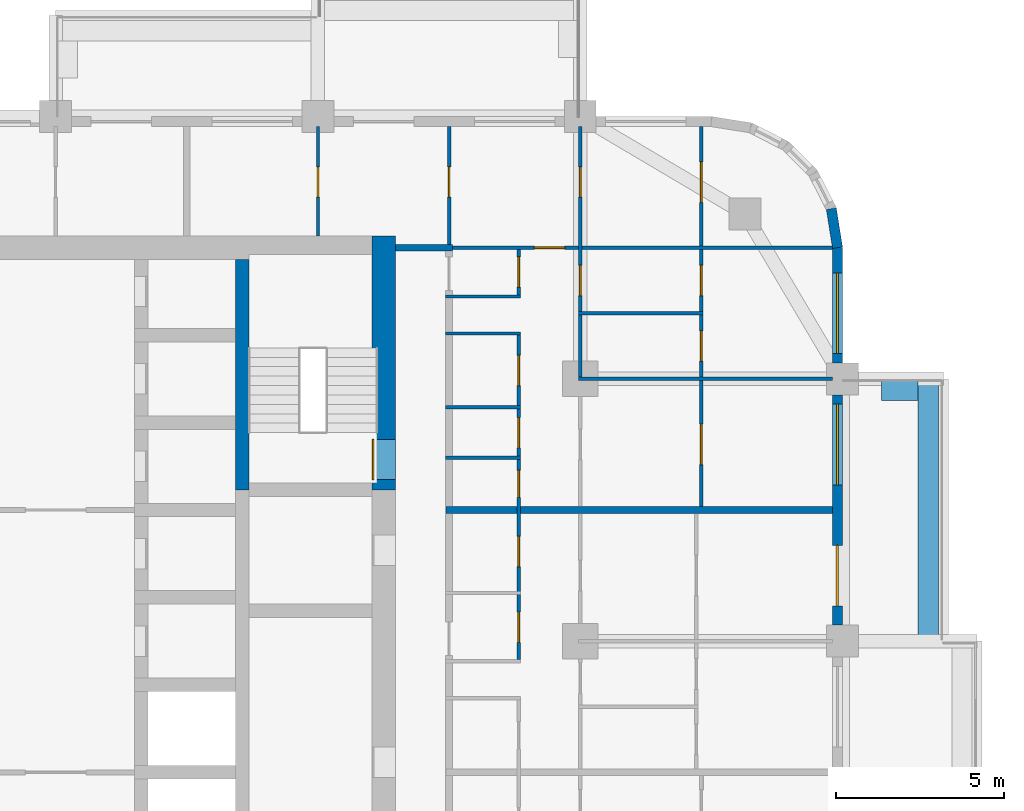
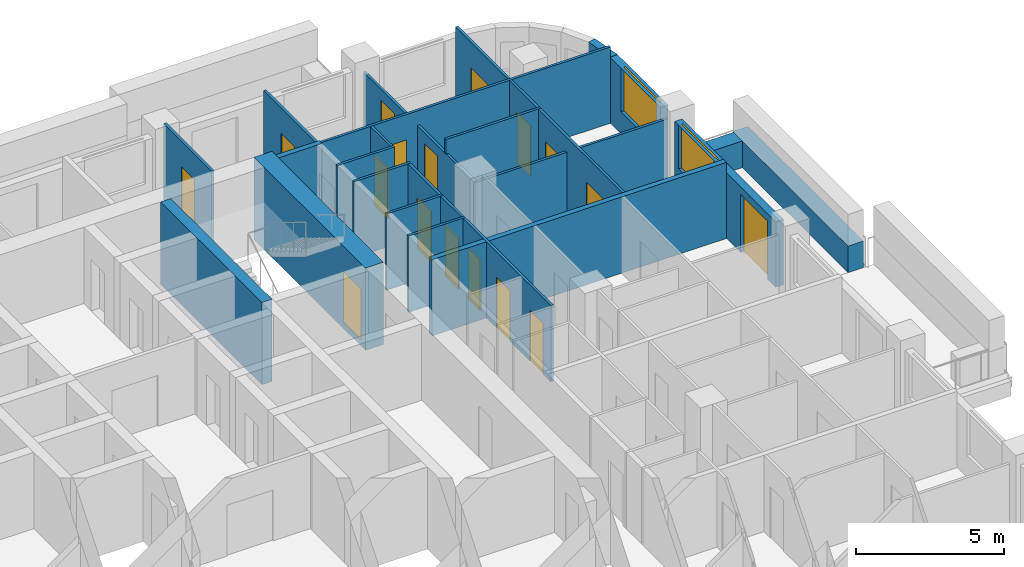
# One storey, part 13 of 19: 22 walls, 17 doors, 2 windows, 19 openings.
"""IFC4 building model written with IfcOpenShell, lengths in metres."""

from ifc_helpers import new_model, si_unit, direction, frame, frame_2d, origin, place, context, subcontext, project, spatial, rectangle, extrude, material, layer, layer_set, type_object, element, fill, save


model = new_model("IFC4")

# Units and contexts
model_context = context("Model", 3, precision=1e-05, world=origin(), true_north=direction((0.0, 1.0)))
body_context = subcontext(model_context, "Body", "Model", "MODEL_VIEW")
ifc_project = project(units=[si_unit("LENGTHUNIT", "METRE"), si_unit("AREAUNIT", "SQUARE_METRE"), si_unit("VOLUMEUNIT", "CUBIC_METRE"), si_unit("PLANEANGLEUNIT", "RADIAN"), si_unit("MASSUNIT", "GRAM", prefix="KILO")], contexts=[model_context])

# Site, building, storey
site_placement = place(None, origin())
site = spatial("IfcSite", under=ifc_project, at=site_placement, CompositionType="ELEMENT")
building_placement = place(site_placement, origin())
building = spatial("IfcBuilding", under=site, at=building_placement, Name="Ludao Terraces", CompositionType="ELEMENT")
storey_placement = place(building_placement, frame((0.0, 0.0, 81.800048828125)))
storey = spatial("IfcBuildingStorey", under=building, at=storey_placement, Name="L22", CompositionType="ELEMENT", Elevation=81.800048828125)

# Wall, opening, door
ifc_material_1 = material(Name="Concrete C70", Category="concrete")
ifc_layer_1 = layer(ifc_material_1, 0.699951171875)
ifc_layer_set_1 = layer_set([ifc_layer_1], Name="Core wall 700 C70")
wall_type_1 = type_object("IfcWallType", Name="Core wall 700 C70", PredefinedType="SOLIDWALL", material=ifc_layer_set_1)
wall_1_placement = place(storey_placement, frame((94.75, 77.300048828125, -0.25), z_axis=(0.0, 0.0, 1.0), x_axis=(0.0, 1.0, 0.0)))
wall_1 = element("IfcWall", 1, at=wall_1_placement, inside=storey, type_object=wall_type_1, Name="Core wall L22 outer-E-S2", PredefinedType="SOLIDWALL", context=body_context, shape_type="SweptSolid", body=[
    extrude(rectangle(XDim=7.550048828125, YDim=0.699951171875, at=frame_2d((3.77490234375, 0.0))), origin(), (0.0, 0.0, 1.0), 3.39990234375),
])
opening_1_placement = place(wall_1_placement, frame((0.300048828125, 0.0, 0.25)))
opening_1 = element("IfcOpeningElement", 2, at=opening_1_placement, cuts=wall_1, Name="Opening R06-132", PredefinedType="OPENING", context=body_context, shape_type="SweptSolid", body=[
    extrude(rectangle(XDim=1.199951171875, YDim=2.10009765625, at=frame_2d((0.60009765625, 1.050048828125))), frame((0.0, 0.35986328125, 0.0), z_axis=(0.0, -1.0, 0.0), x_axis=(1.0, 0.0, 0.0)), (0.0, 0.0, 1.0), 0.719970703125),
])
ifc_material_2 = material(Name="Steel Q235", Category="steel")
door_type_1 = type_object("IfcDoorType", Name="INT Stair door 1200", OperationType="DOUBLE_DOOR_SINGLE_SWING", PredefinedType="DOOR", material=ifc_material_2)
door_1_placement = place(opening_1_placement, origin())
door_1 = element("IfcDoor", 3, at=door_1_placement, inside=storey, type_object=door_type_1, Name="DOOR 132", OperationType="DOUBLE_DOOR_SINGLE_SWING", OverallHeight=2.10009765625, OverallWidth=1.199951171875, PredefinedType="DOOR", context=body_context, shape_type="SweptSolid", body=[
    extrude(rectangle(XDim=1.199951171875, YDim=2.10009765625, at=frame_2d((0.60009765625, 1.050048828125))), frame((0.0, 0.3349609375, 0.0), z_axis=(0.0, -1.0, 0.0), x_axis=(1.0, 0.0, 0.0)), (0.0, 0.0, 1.0), 0.050048828125),
])
fill(opening_1, door_1)

# Walls
ifc_material_3 = material(Name="Concrete C40", Category="concrete")
ifc_layer_2 = layer(ifc_material_3, 0.60009765625)
ifc_layer_set_2 = layer_set([ifc_layer_2], Name="ENV Planter trough 600")
wall_type_2 = type_object("IfcWallType", Name="ENV Planter trough 600", PredefinedType="USERDEFINED", material=ifc_layer_set_2)
wall_2_placement = place(storey_placement, frame((110.949951171875, 72.800048828125, 0.0), z_axis=(0.0, 0.0, 1.0), x_axis=(0.0, 1.0, 0.0)))
element("IfcWall", 4, at=wall_2_placement, inside=storey, type_object=wall_type_2, Name="PL-L22-E4", ObjectType="PLANTER", PredefinedType="USERDEFINED", context=body_context, shape_type="SweptSolid", body=[
    extrude(rectangle(XDim=7.800048828125, YDim=0.60009765625, at=frame_2d((3.89990234375, 0.0))), origin(), (0.0, 0.0, 1.0), 1.099853515625),
])
wall_3_placement = place(storey_placement, frame((110.64990234375, 80.25, 0.0), z_axis=(0.0, 0.0, 1.0), x_axis=(-1.0, 0.0, 0.0)))
element("IfcWall", 5, at=wall_3_placement, inside=storey, type_object=wall_type_2, Name="PL-L22-E4-SB", ObjectType="PLANTER", PredefinedType="USERDEFINED", context=body_context, shape_type="SweptSolid", body=[
    extrude(rectangle(XDim=1.099853515625, YDim=0.60009765625, at=frame_2d((0.5498046875, 0.0))), origin(), (0.0, 0.0, 1.0), 1.099853515625),
])

# Wall, openings, door, window
ifc_material_4 = material(Name="Granite cladding", Category="masonry")
ifc_layer_3 = layer(ifc_material_4, 0.0400390625, Category="stone")
ifc_material_5 = material(Name="Mineral wool")
ifc_layer_4 = layer(ifc_material_5, 0.06005859375)
ifc_layer_5 = layer(ifc_material_3, 0.199951171875, Category="concrete")
ifc_layer_set_3 = layer_set([ifc_layer_3, ifc_layer_4, ifc_layer_5], Name="ENV Stone-clad wall 300")
wall_type_3 = type_object("IfcWallType", Name="ENV Stone-clad wall 300", PredefinedType="SOLIDWALL", material=ifc_layer_set_3)
wall_4_placement = place(storey_placement, frame((108.25, 73.27490234375, 0.0), z_axis=(0.0, 0.0, 1.0), x_axis=(0.0, 1.0, 0.0)))
wall_4 = element("IfcWall", 6, at=wall_4_placement, inside=storey, type_object=wall_type_3, Name="EW-L22-E5", PredefinedType="SOLIDWALL", context=body_context, shape_type="SweptSolid", body=[
    extrude(rectangle(XDim=6.85009765625, YDim=0.300048828125, at=frame_2d((3.425048828125, 0.0))), origin(), (0.0, 0.0, 1.0), 2.699951171875),
])
opening_2_placement = place(wall_4_placement, frame((0.574951171875, 0.0, 0.0)))
opening_2 = element("IfcOpeningElement", 7, at=opening_2_placement, cuts=wall_4, Name="Opening BD", PredefinedType="OPENING", context=body_context, shape_type="SweptSolid", body=[
    extrude(rectangle(XDim=1.800048828125, YDim=2.39990234375, at=frame_2d((0.89990234375, 1.199951171875))), frame((0.0, 0.16015625, 0.0), z_axis=(0.0, -1.0, 0.0), x_axis=(1.0, 0.0, 0.0)), (0.0, 0.0, 1.0), 0.320068359375),
])
opening_3_placement = place(wall_4_placement, frame((4.175048828125, 0.0, 0.89990234375)))
opening_3 = element("IfcOpeningElement", 8, at=opening_3_placement, cuts=wall_4, Name="Opening W1", PredefinedType="OPENING", context=body_context, shape_type="SweptSolid", body=[
    extrude(rectangle(XDim=2.39990234375, YDim=1.800048828125, at=frame_2d((1.199951171875, 0.89990234375))), frame((0.0, 0.16015625, 0.0), z_axis=(0.0, -1.0, 0.0), x_axis=(1.0, 0.0, 0.0)), (0.0, 0.0, 1.0), 0.320068359375),
])
ifc_material_6 = material(Name="Aluminium glazed door", Category="aluminium")
ifc_layer_6 = layer(ifc_material_6, 0.06005859375)
ifc_layer_set_4 = layer_set([ifc_layer_6], Name="ENV Balcony door BD 1800x2400")
door_type_2 = type_object("IfcDoorType", Name="ENV Balcony door BD 1800x2400", OperationType="DOUBLE_DOOR_SINGLE_SWING", PredefinedType="DOOR", material=ifc_layer_set_4)
door_2_placement = place(opening_2_placement, origin())
door_2 = element("IfcDoor", 9, at=door_2_placement, inside=storey, type_object=door_type_2, Name="BD-L22-E5-1", OperationType="DOUBLE_DOOR_SINGLE_SWING", OverallHeight=2.39990234375, OverallWidth=1.800048828125, PredefinedType="DOOR", context=body_context, shape_type="SweptSolid", body=[
    extrude(rectangle(XDim=1.800048828125, YDim=2.39990234375, at=frame_2d((0.89990234375, 1.199951171875))), frame((0.0, 0.02490234375, 0.0), z_axis=(0.0, -1.0, 0.0), x_axis=(1.0, 0.0, 0.0)), (0.0, 0.0, 1.0), 0.050048828125),
])
fill(opening_2, door_2)
ifc_material_7 = material(Name="Clear glass in aluminium frame", Category="aluminium")
ifc_layer_7 = layer(ifc_material_7, 0.06005859375)
ifc_layer_set_5 = layer_set([ifc_layer_7], Name="ENV Window W1 2400x1800")
window_type = type_object("IfcWindowType", Name="ENV Window W1 2400x1800", PartitioningType="DOUBLE_PANEL_VERTICAL", PredefinedType="WINDOW", material=ifc_layer_set_5)
window_1_placement = place(opening_3_placement, origin())
window_1 = element("IfcWindow", 10, at=window_1_placement, inside=storey, type_object=window_type, Name="W-L22-E5-2", OverallHeight=1.800048828125, OverallWidth=2.39990234375, PartitioningType="DOUBLE_PANEL_VERTICAL", PredefinedType="WINDOW", context=body_context, shape_type="SweptSolid", body=[
    extrude(rectangle(XDim=2.39990234375, YDim=1.800048828125, at=frame_2d((1.199951171875, 0.89990234375))), frame((0.0, 0.030029296875, 0.0), z_axis=(0.0, -1.0, 0.0), x_axis=(1.0, 0.0, 0.0)), (0.0, 0.0, 1.0), 0.06005859375),
])
fill(opening_3, window_1)

# Wall, opening, window
wall_5_placement = place(storey_placement, frame((108.25, 81.074951171875, 0.0), z_axis=(0.0, 0.0, 1.0), x_axis=(0.0, 1.0, 0.0)))
wall_5 = element("IfcWall", 11, at=wall_5_placement, inside=storey, type_object=wall_type_3, Name="EW-L22-E6", PredefinedType="SOLIDWALL", context=body_context, shape_type="SweptSolid", body=[
    extrude(rectangle(XDim=3.425048828125, YDim=0.300048828125, at=frame_2d((1.71240234375, 0.0))), origin(), (0.0, 0.0, 1.0), 2.699951171875),
])
opening_4_placement = place(wall_5_placement, frame((0.27490234375, 0.0, 0.89990234375)))
opening_4 = element("IfcOpeningElement", 12, at=opening_4_placement, cuts=wall_5, Name="Opening W1", PredefinedType="OPENING", context=body_context, shape_type="SweptSolid", body=[
    extrude(rectangle(XDim=2.39990234375, YDim=1.800048828125, at=frame_2d((1.199951171875, 0.89990234375))), frame((0.0, 0.16015625, 0.0), z_axis=(0.0, -1.0, 0.0), x_axis=(1.0, 0.0, 0.0)), (0.0, 0.0, 1.0), 0.320068359375),
])
window_2_placement = place(opening_4_placement, origin())
window_2 = element("IfcWindow", 13, at=window_2_placement, inside=storey, type_object=window_type, Name="W-L22-E6-1", OverallHeight=1.800048828125, OverallWidth=2.39990234375, PartitioningType="DOUBLE_PANEL_VERTICAL", PredefinedType="WINDOW", context=body_context, shape_type="SweptSolid", body=[
    extrude(rectangle(XDim=2.39990234375, YDim=1.800048828125, at=frame_2d((1.199951171875, 0.89990234375))), frame((0.0, 0.030029296875, 0.0), z_axis=(0.0, -1.0, 0.0), x_axis=(1.0, 0.0, 0.0)), (0.0, 0.0, 1.0), 0.06005859375),
])
fill(opening_4, window_2)

# Walls
wall_6_placement = place(storey_placement, frame((108.25, 84.5, 0.0), z_axis=(0.0, 0.0, 1.0), x_axis=(-0.156496880861, 0.987678452879, 0.0)))
element("IfcWall", 14, at=wall_6_placement, inside=storey, type_object=wall_type_3, Name="EW-L22-NE1", PredefinedType="SOLIDWALL", context=body_context, shape_type="SweptSolid", body=[
    extrude(rectangle(XDim=1.173095703125, YDim=0.300048828125, at=frame_2d((0.58642578125, 0.0))), origin(), (0.0, 0.0, 1.0), 2.699951171875),
])
ifc_material_8 = material(Name="Autoclaved aerated concrete block B06 A3.5", Category="concrete")
ifc_layer_8 = layer(ifc_material_8, 0.199951171875)
ifc_layer_set_6 = layer_set([ifc_layer_8], Name="INT Entrance wall 200")
wall_type_4 = type_object("IfcWallType", Name="INT Entrance wall 200", PredefinedType="PARTITIONING", material=ifc_layer_set_6)
wall_7_placement = place(storey_placement, frame((95.10009765625, 84.5, 0.0), z_axis=(0.0, 0.0, 1.0), x_axis=(1.0, 0.0, 0.0)))
element("IfcWall", 15, at=wall_7_placement, inside=storey, type_object=wall_type_4, Name="PW-L22-PW079", PredefinedType="PARTITIONING", context=body_context, shape_type="SweptSolid", body=[
    extrude(rectangle(XDim=1.699951171875, YDim=0.199951171875, at=frame_2d((0.85009765625, 0.0))), origin(), (0.0, 0.0, 1.0), 3.14990234375),
])
ifc_material_9 = material(Name="Gypsum plasterboard", Category="gypsum")
ifc_layer_9 = layer(ifc_material_9, 0.012451171875, Category="gypsum")
ifc_layer_10 = layer(ifc_material_5, 0.06005859375, Name="insulation")
ifc_layer_11 = layer(ifc_material_2, 0.014892578125, Name="stud")
ifc_layer_12 = layer(ifc_material_9, 0.012451171875, Category="gypsum")
ifc_layer_set_7 = layer_set([ifc_layer_9, ifc_layer_10, ifc_layer_11, ifc_layer_12], Name="INT Partition 100")
wall_type_5 = type_object("IfcWallType", Name="INT Partition 100", PredefinedType="PARTITIONING", material=ifc_layer_set_7)
for number, where, z_axis, x_axis, name in (
    (16, (96.60009765625, 78.25, 0.0), (0.0, 0.0, 1.0), (1.0, 0.0, 0.0), "PW-L22-PW065"),
    (17, (96.60009765625, 79.75, 0.0), (0.0, 0.0, 1.0), (1.0, 0.0, 0.0), "PW-L22-PW067"),
):
    element("IfcWall", number, at=place(storey_placement, frame(where, z_axis=z_axis, x_axis=x_axis)), inside=storey, type_object=wall_type_5, Name=name, PredefinedType="PARTITIONING", context=body_context, shape_type="SweptSolid", body=[
        extrude(rectangle(XDim=2.219970703125, YDim=0.10009765625, at=frame_2d((1.10986328125, 0.0))), origin(), (0.0, 0.0, 1.0), 3.14990234375),
    ])
wall_8_placement = place(storey_placement, frame((100.550048828125, 80.60009765625, 0.0), z_axis=(0.0, 0.0, 1.0), x_axis=(1.0, 0.0, 0.0)))
element("IfcWall", 18, at=wall_8_placement, inside=storey, type_object=wall_type_5, Name="PW-L22-PW070", PredefinedType="PARTITIONING", context=body_context, shape_type="SweptSolid", body=[
    extrude(rectangle(XDim=7.550048828125, YDim=0.10009765625, at=frame_2d((3.77490234375, 0.0))), origin(), (0.0, 0.0, 1.0), 2.5498046875),
])
wall_9_placement = place(storey_placement, frame((96.60009765625, 81.949951171875, 0.0), z_axis=(0.0, 0.0, 1.0), x_axis=(1.0, 0.0, 0.0)))
element("IfcWall", 19, at=wall_9_placement, inside=storey, type_object=wall_type_5, Name="PW-L22-PW071", PredefinedType="PARTITIONING", context=body_context, shape_type="SweptSolid", body=[
    extrude(rectangle(XDim=2.219970703125, YDim=0.10009765625, at=frame_2d((1.10986328125, 0.0))), origin(), (0.0, 0.0, 1.0), 3.14990234375),
])
wall_10_placement = place(storey_placement, frame((100.550048828125, 82.550048828125, 0.0), z_axis=(0.0, 0.0, 1.0), x_axis=(1.0, 0.0, 0.0)))
element("IfcWall", 20, at=wall_10_placement, inside=storey, type_object=wall_type_5, Name="PW-L22-PW074", PredefinedType="PARTITIONING", context=body_context, shape_type="SweptSolid", body=[
    extrude(rectangle(XDim=3.699951171875, YDim=0.10009765625, at=frame_2d((1.85009765625, 0.0))), origin(), (0.0, 0.0, 1.0), 3.14990234375),
])
wall_11_placement = place(storey_placement, frame((96.60009765625, 83.050048828125, 0.0), z_axis=(0.0, 0.0, 1.0), x_axis=(1.0, 0.0, 0.0)))
element("IfcWall", 21, at=wall_11_placement, inside=storey, type_object=wall_type_5, Name="PW-L22-PW075", PredefinedType="PARTITIONING", context=body_context, shape_type="SweptSolid", body=[
    extrude(rectangle(XDim=2.219970703125, YDim=0.10009765625, at=frame_2d((1.10986328125, 0.0))), origin(), (0.0, 0.0, 1.0), 3.14990234375),
])

# Wall, opening, door
wall_12_placement = place(storey_placement, frame((96.60009765625, 84.5, 0.0), z_axis=(0.0, 0.0, 1.0), x_axis=(1.0, 0.0, 0.0)))
wall_12 = element("IfcWall", 22, at=wall_12_placement, inside=storey, type_object=wall_type_5, Name="PW-L22-PW080", PredefinedType="PARTITIONING", context=body_context, shape_type="SweptSolid", body=[
    extrude(rectangle(XDim=11.5, YDim=0.10009765625, at=frame_2d((5.75, 0.0))), origin(), (0.0, 0.0, 1.0), 3.14990234375),
])
opening_5_placement = place(wall_12_placement, frame((2.635009765625, 0.0, 0.0)))
opening_5 = element("IfcOpeningElement", 23, at=opening_5_placement, cuts=wall_12, Name="Opening R06-156", PredefinedType="OPENING", context=body_context, shape_type="SweptSolid", body=[
    extrude(rectangle(XDim=0.89990234375, YDim=2.10009765625, at=frame_2d((0.449951171875, 1.050048828125))), frame((0.0, 0.06005859375, 0.0), z_axis=(0.0, -1.0, 0.0), x_axis=(1.0, 0.0, 0.0)), (0.0, 0.0, 1.0), 0.1201171875),
])
ifc_material_10 = material(Name="Timber door leaf", Category="wood")
door_type_3 = type_object("IfcDoorType", Name="INT Room door 900", OperationType="SINGLE_SWING_LEFT", PredefinedType="DOOR", material=ifc_material_10)
door_3_placement = place(opening_5_placement, origin())
door_3 = element("IfcDoor", 24, at=door_3_placement, inside=storey, type_object=door_type_3, Name="DOOR 156", OperationType="SINGLE_SWING_LEFT", OverallHeight=2.10009765625, OverallWidth=0.89990234375, PredefinedType="DOOR", context=body_context, shape_type="SweptSolid", body=[
    extrude(rectangle(XDim=0.89990234375, YDim=2.10009765625, at=frame_2d((0.449951171875, 1.050048828125))), frame((0.0, 0.02490234375, 0.0), z_axis=(0.0, -1.0, 0.0), x_axis=(1.0, 0.0, 0.0)), (0.0, 0.0, 1.0), 0.050048828125),
])
fill(opening_5, door_3)

wall_13_placement = place(storey_placement, frame((92.800048828125, 84.85009765625, 0.0), z_axis=(0.0, 0.0, 1.0), x_axis=(0.0, 1.0, 0.0)))
wall_13 = element("IfcWall", 25, at=wall_13_placement, inside=storey, type_object=wall_type_5, Name="PW-L22-PW111", PredefinedType="PARTITIONING", context=body_context, shape_type="SweptSolid", body=[
    extrude(rectangle(XDim=3.25, YDim=0.10009765625, at=frame_2d((1.625, 0.0))), origin(), (0.0, 0.0, 1.0), 3.14990234375),
])
opening_6_placement = place(wall_13_placement, frame((1.14990234375, 0.0, 0.0)))
opening_6 = element("IfcOpeningElement", 26, at=opening_6_placement, cuts=wall_13, Name="Opening R06-163", PredefinedType="OPENING", context=body_context, shape_type="SweptSolid", body=[
    extrude(rectangle(XDim=0.89990234375, YDim=2.10009765625, at=frame_2d((0.449951171875, 1.050048828125))), frame((0.0, 0.06005859375, 0.0), z_axis=(0.0, -1.0, 0.0), x_axis=(1.0, 0.0, 0.0)), (0.0, 0.0, 1.0), 0.1201171875),
])
door_4_placement = place(opening_6_placement, origin())
door_4 = element("IfcDoor", 27, at=door_4_placement, inside=storey, type_object=door_type_3, Name="DOOR 163", OperationType="SINGLE_SWING_LEFT", OverallHeight=2.10009765625, OverallWidth=0.89990234375, PredefinedType="DOOR", context=body_context, shape_type="SweptSolid", body=[
    extrude(rectangle(XDim=0.89990234375, YDim=2.10009765625, at=frame_2d((0.449951171875, 1.050048828125))), frame((0.0, 0.02490234375, 0.0), z_axis=(0.0, -1.0, 0.0), x_axis=(1.0, 0.0, 0.0)), (0.0, 0.0, 1.0), 0.050048828125),
])
fill(opening_6, door_4)

wall_14_placement = place(storey_placement, frame((96.699951171875, 84.60009765625, 0.0), z_axis=(0.0, 0.0, 1.0), x_axis=(0.0, 1.0, 0.0)))
wall_14 = element("IfcWall", 28, at=wall_14_placement, inside=storey, type_object=wall_type_5, Name="PW-L22-PW117", PredefinedType="PARTITIONING", context=body_context, shape_type="SweptSolid", body=[
    extrude(rectangle(XDim=3.5, YDim=0.10009765625, at=frame_2d((1.75, 0.0))), origin(), (0.0, 0.0, 1.0), 3.14990234375),
])
opening_7_placement = place(wall_14_placement, frame((1.39990234375, 0.0, 0.0)))
opening_7 = element("IfcOpeningElement", 29, at=opening_7_placement, cuts=wall_14, Name="Opening R06-164", PredefinedType="OPENING", context=body_context, shape_type="SweptSolid", body=[
    extrude(rectangle(XDim=0.89990234375, YDim=2.10009765625, at=frame_2d((0.449951171875, 1.050048828125))), frame((0.0, 0.06005859375, 0.0), z_axis=(0.0, -1.0, 0.0), x_axis=(1.0, 0.0, 0.0)), (0.0, 0.0, 1.0), 0.1201171875),
])
door_5_placement = place(opening_7_placement, origin())
door_5 = element("IfcDoor", 30, at=door_5_placement, inside=storey, type_object=door_type_3, Name="DOOR 164", OperationType="SINGLE_SWING_RIGHT", OverallHeight=2.10009765625, OverallWidth=0.89990234375, PredefinedType="DOOR", context=body_context, shape_type="SweptSolid", body=[
    extrude(rectangle(XDim=0.89990234375, YDim=2.10009765625, at=frame_2d((0.449951171875, 1.050048828125))), frame((0.0, 0.02490234375, 0.0), z_axis=(0.0, -1.0, 0.0), x_axis=(1.0, 0.0, 0.0)), (0.0, 0.0, 1.0), 0.050048828125),
])
fill(opening_7, door_5)

# Wall, openings, doors
wall_15_placement = place(storey_placement, frame((98.77001953125, 72.25, 0.0), z_axis=(0.0, 0.0, 1.0), x_axis=(0.0, 1.0, 0.0)))
wall_15 = element("IfcWall", 31, at=wall_15_placement, inside=storey, type_object=wall_type_5, Name="PW-L22-PW121", PredefinedType="PARTITIONING", context=body_context, shape_type="SweptSolid", body=[
    extrude(rectangle(XDim=9.650146484375, YDim=0.10009765625, at=frame_2d((4.8251953125, 0.0))), origin(), (0.0, 0.0, 1.0), 3.14990234375),
])
opening_8_placement = place(wall_15_placement, frame((0.51513671875, 0.0, 0.0)))
opening_8 = element("IfcOpeningElement", 32, at=opening_8_placement, cuts=wall_15, Name="Opening R06-113", PredefinedType="OPENING", context=body_context, shape_type="SweptSolid", body=[
    extrude(rectangle(XDim=0.89990234375, YDim=2.10009765625, at=frame_2d((0.449951171875, 1.050048828125))), frame((0.0, 0.06005859375, 0.0), z_axis=(0.0, -1.0, 0.0), x_axis=(1.0, 0.0, 0.0)), (0.0, 0.0, 1.0), 0.1201171875),
])
opening_9_placement = place(wall_15_placement, frame((2.76513671875, 0.0, 0.0)))
opening_9 = element("IfcOpeningElement", 33, at=opening_9_placement, cuts=wall_15, Name="Opening R06-120", PredefinedType="OPENING", context=body_context, shape_type="SweptSolid", body=[
    extrude(rectangle(XDim=0.89990234375, YDim=2.10009765625, at=frame_2d((0.449951171875, 1.050048828125))), frame((0.0, 0.06005859375, 0.0), z_axis=(0.0, -1.0, 0.0), x_axis=(1.0, 0.0, 0.0)), (0.0, 0.0, 1.0), 0.1201171875),
])
opening_10_placement = place(wall_15_placement, frame((4.8251953125, 0.0, 0.0)))
opening_10 = element("IfcOpeningElement", 34, at=opening_10_placement, cuts=wall_15, Name="Opening R06-127", PredefinedType="OPENING", context=body_context, shape_type="SweptSolid", body=[
    extrude(rectangle(XDim=0.800048828125, YDim=2.10009765625, at=frame_2d((0.39990234375, 1.050048828125))), frame((0.0, 0.06005859375, 0.0), z_axis=(0.0, -1.0, 0.0), x_axis=(1.0, 0.0, 0.0)), (0.0, 0.0, 1.0), 0.1201171875),
])
opening_11_placement = place(wall_15_placement, frame((6.300048828125, 0.0, 0.0)))
opening_11 = element("IfcOpeningElement", 35, at=opening_11_placement, cuts=wall_15, Name="Opening R06-137", PredefinedType="OPENING", context=body_context, shape_type="SweptSolid", body=[
    extrude(rectangle(XDim=0.89990234375, YDim=2.10009765625, at=frame_2d((0.449951171875, 1.050048828125))), frame((0.0, 0.06005859375, 0.0), z_axis=(0.0, -1.0, 0.0), x_axis=(1.0, 0.0, 0.0)), (0.0, 0.0, 1.0), 0.1201171875),
])
opening_12_placement = place(wall_15_placement, frame((8.150146484375, 0.0, 0.0)))
opening_12 = element("IfcOpeningElement", 36, at=opening_12_placement, cuts=wall_15, Name="Opening R06-141", PredefinedType="OPENING", context=body_context, shape_type="SweptSolid", body=[
    extrude(rectangle(XDim=0.89990234375, YDim=2.10009765625, at=frame_2d((0.449951171875, 1.050048828125))), frame((0.0, 0.06005859375, 0.0), z_axis=(0.0, -1.0, 0.0), x_axis=(1.0, 0.0, 0.0)), (0.0, 0.0, 1.0), 0.1201171875),
])
door_type_4 = type_object("IfcDoorType", Name="INT Bathroom door 900", OperationType="SINGLE_SWING_LEFT", PredefinedType="DOOR", material=ifc_material_10)
door_6_placement = place(opening_8_placement, origin())
door_6 = element("IfcDoor", 37, at=door_6_placement, inside=storey, type_object=door_type_4, Name="DOOR 113", OperationType="SINGLE_SWING_LEFT", OverallHeight=2.10009765625, OverallWidth=0.89990234375, PredefinedType="DOOR", context=body_context, shape_type="SweptSolid", body=[
    extrude(rectangle(XDim=0.89990234375, YDim=2.10009765625, at=frame_2d((0.449951171875, 1.050048828125))), frame((0.0, 0.02490234375, 0.0), z_axis=(0.0, -1.0, 0.0), x_axis=(1.0, 0.0, 0.0)), (0.0, 0.0, 1.0), 0.050048828125),
])
fill(opening_8, door_6)
door_7_placement = place(opening_11_placement, origin())
door_7 = element("IfcDoor", 38, at=door_7_placement, inside=storey, type_object=door_type_4, Name="DOOR 137", OperationType="SINGLE_SWING_LEFT", OverallHeight=2.10009765625, OverallWidth=0.89990234375, PredefinedType="DOOR", context=body_context, shape_type="SweptSolid", body=[
    extrude(rectangle(XDim=0.89990234375, YDim=2.10009765625, at=frame_2d((0.449951171875, 1.050048828125))), frame((0.0, 0.02490234375, 0.0), z_axis=(0.0, -1.0, 0.0), x_axis=(1.0, 0.0, 0.0)), (0.0, 0.0, 1.0), 0.050048828125),
])
fill(opening_11, door_7)
door_8_placement = place(opening_9_placement, origin())
door_8 = element("IfcDoor", 39, at=door_8_placement, inside=storey, type_object=door_type_3, Name="DOOR 120", OperationType="SINGLE_SWING_RIGHT", OverallHeight=2.10009765625, OverallWidth=0.89990234375, PredefinedType="DOOR", context=body_context, shape_type="SweptSolid", body=[
    extrude(rectangle(XDim=0.89990234375, YDim=2.10009765625, at=frame_2d((0.449951171875, 1.050048828125))), frame((0.0, 0.02490234375, 0.0), z_axis=(0.0, -1.0, 0.0), x_axis=(1.0, 0.0, 0.0)), (0.0, 0.0, 1.0), 0.050048828125),
])
fill(opening_9, door_8)
door_9_placement = place(opening_12_placement, origin())
door_9 = element("IfcDoor", 40, at=door_9_placement, inside=storey, type_object=door_type_3, Name="DOOR 141", OperationType="SINGLE_SWING_LEFT", OverallHeight=2.10009765625, OverallWidth=0.89990234375, PredefinedType="DOOR", context=body_context, shape_type="SweptSolid", body=[
    extrude(rectangle(XDim=0.89990234375, YDim=2.10009765625, at=frame_2d((0.449951171875, 1.050048828125))), frame((0.0, 0.02490234375, 0.0), z_axis=(0.0, -1.0, 0.0), x_axis=(1.0, 0.0, 0.0)), (0.0, 0.0, 1.0), 0.050048828125),
])
fill(opening_12, door_9)
door_type_5 = type_object("IfcDoorType", Name="INT Store door 800", OperationType="SINGLE_SWING_LEFT", PredefinedType="DOOR", material=ifc_material_10)
door_10_placement = place(opening_10_placement, origin())
door_10 = element("IfcDoor", 41, at=door_10_placement, inside=storey, type_object=door_type_5, Name="DOOR 127", OperationType="SINGLE_SWING_LEFT", OverallHeight=2.10009765625, OverallWidth=0.800048828125, PredefinedType="DOOR", context=body_context, shape_type="SweptSolid", body=[
    extrude(rectangle(XDim=0.800048828125, YDim=2.10009765625, at=frame_2d((0.39990234375, 1.050048828125))), frame((0.0, 0.02490234375, 0.0), z_axis=(0.0, -1.0, 0.0), x_axis=(1.0, 0.0, 0.0)), (0.0, 0.0, 1.0), 0.050048828125),
])
fill(opening_10, door_10)

# Wall, opening, door
wall_16_placement = place(storey_placement, frame((98.77001953125, 83.10009765625, 0.0), z_axis=(0.0, 0.0, 1.0), x_axis=(0.0, 1.0, 0.0)))
wall_16 = element("IfcWall", 42, at=wall_16_placement, inside=storey, type_object=wall_type_5, Name="PW-L22-PW122", PredefinedType="PARTITIONING", context=body_context, shape_type="SweptSolid", body=[
    extrude(rectangle(XDim=1.35009765625, YDim=0.10009765625, at=frame_2d((0.675048828125, 0.0))), origin(), (0.0, 0.0, 1.0), 3.14990234375),
])
opening_13_placement = place(wall_16_placement, frame((0.22509765625, 0.0, 0.0)))
opening_13 = element("IfcOpeningElement", 43, at=opening_13_placement, cuts=wall_16, Name="Opening R06-153", PredefinedType="OPENING", context=body_context, shape_type="SweptSolid", body=[
    extrude(rectangle(XDim=0.89990234375, YDim=2.10009765625, at=frame_2d((0.449951171875, 1.050048828125))), frame((0.0, 0.06005859375, 0.0), z_axis=(0.0, -1.0, 0.0), x_axis=(1.0, 0.0, 0.0)), (0.0, 0.0, 1.0), 0.1201171875),
])
door_11_placement = place(opening_13_placement, origin())
door_11 = element("IfcDoor", 44, at=door_11_placement, inside=storey, type_object=door_type_4, Name="DOOR 153", OperationType="SINGLE_SWING_LEFT", OverallHeight=2.10009765625, OverallWidth=0.89990234375, PredefinedType="DOOR", context=body_context, shape_type="SweptSolid", body=[
    extrude(rectangle(XDim=0.89990234375, YDim=2.10009765625, at=frame_2d((0.449951171875, 1.050048828125))), frame((0.0, 0.02490234375, 0.0), z_axis=(0.0, -1.0, 0.0), x_axis=(1.0, 0.0, 0.0)), (0.0, 0.0, 1.0), 0.050048828125),
])
fill(opening_13, door_11)

# Wall, openings, doors
wall_17_placement = place(storey_placement, frame((100.60009765625, 80.60009765625, 0.0), z_axis=(0.0, 0.0, 1.0), x_axis=(0.0, 1.0, 0.0)))
wall_17 = element("IfcWall", 45, at=wall_17_placement, inside=storey, type_object=wall_type_5, Name="PW-L22-PW123-3", PredefinedType="PARTITIONING", context=body_context, shape_type="SweptSolid", body=[
    extrude(rectangle(XDim=7.5, YDim=0.10009765625, at=frame_2d((3.75, 0.0))), origin(), (0.0, 0.0, 1.0), 2.5498046875),
])
opening_14_placement = place(wall_17_placement, frame((2.47509765625, 0.0, 0.0)))
opening_14 = element("IfcOpeningElement", 46, at=opening_14_placement, cuts=wall_17, Name="Opening R06-150", PredefinedType="OPENING", context=body_context, shape_type="SweptSolid", body=[
    extrude(rectangle(XDim=0.89990234375, YDim=2.10009765625, at=frame_2d((0.449951171875, 1.050048828125))), frame((0.0, 0.06005859375, 0.0), z_axis=(0.0, -1.0, 0.0), x_axis=(1.0, 0.0, 0.0)), (0.0, 0.0, 1.0), 0.1201171875),
])
opening_15_placement = place(wall_17_placement, frame((5.39990234375, 0.0, 0.0)))
opening_15 = element("IfcOpeningElement", 47, at=opening_15_placement, cuts=wall_17, Name="Opening R06-165", PredefinedType="OPENING", context=body_context, shape_type="SweptSolid", body=[
    extrude(rectangle(XDim=0.89990234375, YDim=2.10009765625, at=frame_2d((0.449951171875, 1.050048828125))), frame((0.0, 0.06005859375, 0.0), z_axis=(0.0, -1.0, 0.0), x_axis=(1.0, 0.0, 0.0)), (0.0, 0.0, 1.0), 0.1201171875),
])
door_12_placement = place(opening_14_placement, origin())
door_12 = element("IfcDoor", 48, at=door_12_placement, inside=storey, type_object=door_type_3, Name="DOOR 150", OperationType="SINGLE_SWING_RIGHT", OverallHeight=2.10009765625, OverallWidth=0.89990234375, PredefinedType="DOOR", context=body_context, shape_type="SweptSolid", body=[
    extrude(rectangle(XDim=0.89990234375, YDim=2.10009765625, at=frame_2d((0.449951171875, 1.050048828125))), frame((0.0, 0.02490234375, 0.0), z_axis=(0.0, -1.0, 0.0), x_axis=(1.0, 0.0, 0.0)), (0.0, 0.0, 1.0), 0.050048828125),
])
fill(opening_14, door_12)
door_13_placement = place(opening_15_placement, origin())
door_13 = element("IfcDoor", 49, at=door_13_placement, inside=storey, type_object=door_type_3, Name="DOOR 165", OperationType="SINGLE_SWING_LEFT", OverallHeight=2.10009765625, OverallWidth=0.89990234375, PredefinedType="DOOR", context=body_context, shape_type="SweptSolid", body=[
    extrude(rectangle(XDim=0.89990234375, YDim=2.10009765625, at=frame_2d((0.449951171875, 1.050048828125))), frame((0.0, 0.02490234375, 0.0), z_axis=(0.0, -1.0, 0.0), x_axis=(1.0, 0.0, 0.0)), (0.0, 0.0, 1.0), 0.050048828125),
])
fill(opening_15, door_13)

wall_18_placement = place(storey_placement, frame((104.199951171875, 76.800048828125, 0.0), z_axis=(0.0, 0.0, 1.0), x_axis=(0.0, 1.0, 0.0)))
wall_18 = element("IfcWall", 50, at=wall_18_placement, inside=storey, type_object=wall_type_5, Name="PW-L22-PW126", PredefinedType="PARTITIONING", context=body_context, shape_type="SweptSolid", body=[
    extrude(rectangle(XDim=11.300048828125, YDim=0.10009765625, at=frame_2d((5.64990234375, 0.0))), origin(), (0.0, 0.0, 1.0), 3.14990234375),
])
opening_16_placement = place(wall_18_placement, frame((1.25, 0.0, 0.0)))
opening_16 = element("IfcOpeningElement", 51, at=opening_16_placement, cuts=wall_18, Name="Opening R06-136", PredefinedType="OPENING", context=body_context, shape_type="SweptSolid", body=[
    extrude(rectangle(XDim=1.199951171875, YDim=2.10009765625, at=frame_2d((0.60009765625, 1.050048828125))), frame((0.0, 0.06005859375, 0.0), z_axis=(0.0, -1.0, 0.0), x_axis=(1.0, 0.0, 0.0)), (0.0, 0.0, 1.0), 0.1201171875),
])
opening_17_placement = place(wall_18_placement, frame((4.324951171875, 0.0, 0.0)))
opening_17 = element("IfcOpeningElement", 52, at=opening_17_placement, cuts=wall_18, Name="Opening R06-144", PredefinedType="OPENING", context=body_context, shape_type="SweptSolid", body=[
    extrude(rectangle(XDim=0.89990234375, YDim=2.10009765625, at=frame_2d((0.449951171875, 1.050048828125))), frame((0.0, 0.06005859375, 0.0), z_axis=(0.0, -1.0, 0.0), x_axis=(1.0, 0.0, 0.0)), (0.0, 0.0, 1.0), 0.1201171875),
])
opening_18_placement = place(wall_18_placement, frame((6.27490234375, 0.0, 0.0)))
opening_18 = element("IfcOpeningElement", 53, at=opening_18_placement, cuts=wall_18, Name="Opening R06-151", PredefinedType="OPENING", context=body_context, shape_type="SweptSolid", body=[
    extrude(rectangle(XDim=0.89990234375, YDim=2.10009765625, at=frame_2d((0.449951171875, 1.050048828125))), frame((0.0, 0.06005859375, 0.0), z_axis=(0.0, -1.0, 0.0), x_axis=(1.0, 0.0, 0.0)), (0.0, 0.0, 1.0), 0.1201171875),
])
opening_19_placement = place(wall_18_placement, frame((9.050048828125, 0.0, 0.0)))
opening_19 = element("IfcOpeningElement", 54, at=opening_19_placement, cuts=wall_18, Name="Opening R06-166", PredefinedType="OPENING", context=body_context, shape_type="SweptSolid", body=[
    extrude(rectangle(XDim=1.199951171875, YDim=2.10009765625, at=frame_2d((0.60009765625, 1.050048828125))), frame((0.0, 0.06005859375, 0.0), z_axis=(0.0, -1.0, 0.0), x_axis=(1.0, 0.0, 0.0)), (0.0, 0.0, 1.0), 0.1201171875),
])
door_14_placement = place(opening_17_placement, origin())
door_14 = element("IfcDoor", 55, at=door_14_placement, inside=storey, type_object=door_type_4, Name="DOOR 144", OperationType="SINGLE_SWING_LEFT", OverallHeight=2.10009765625, OverallWidth=0.89990234375, PredefinedType="DOOR", context=body_context, shape_type="SweptSolid", body=[
    extrude(rectangle(XDim=0.89990234375, YDim=2.10009765625, at=frame_2d((0.449951171875, 1.050048828125))), frame((0.0, 0.02490234375, 0.0), z_axis=(0.0, -1.0, 0.0), x_axis=(1.0, 0.0, 0.0)), (0.0, 0.0, 1.0), 0.050048828125),
])
fill(opening_17, door_14)
door_type_6 = type_object("IfcDoorType", Name="INT Double door 1200", OperationType="DOUBLE_DOOR_SINGLE_SWING", PredefinedType="DOOR", material=ifc_material_10)
door_15_placement = place(opening_16_placement, origin())
door_15 = element("IfcDoor", 56, at=door_15_placement, inside=storey, type_object=door_type_6, Name="DOOR 136", OperationType="DOUBLE_DOOR_SINGLE_SWING", OverallHeight=2.10009765625, OverallWidth=1.199951171875, PredefinedType="DOOR", context=body_context, shape_type="SweptSolid", body=[
    extrude(rectangle(XDim=1.199951171875, YDim=2.10009765625, at=frame_2d((0.60009765625, 1.050048828125))), frame((0.0, 0.02490234375, 0.0), z_axis=(0.0, -1.0, 0.0), x_axis=(1.0, 0.0, 0.0)), (0.0, 0.0, 1.0), 0.050048828125),
])
fill(opening_16, door_15)
door_16_placement = place(opening_19_placement, origin())
door_16 = element("IfcDoor", 57, at=door_16_placement, inside=storey, type_object=door_type_6, Name="DOOR 166", OperationType="DOUBLE_DOOR_SINGLE_SWING", OverallHeight=2.10009765625, OverallWidth=1.199951171875, PredefinedType="DOOR", context=body_context, shape_type="SweptSolid", body=[
    extrude(rectangle(XDim=1.199951171875, YDim=2.10009765625, at=frame_2d((0.60009765625, 1.050048828125))), frame((0.0, 0.02490234375, 0.0), z_axis=(0.0, -1.0, 0.0), x_axis=(1.0, 0.0, 0.0)), (0.0, 0.0, 1.0), 0.050048828125),
])
fill(opening_19, door_16)
door_17_placement = place(opening_18_placement, origin())
door_17 = element("IfcDoor", 58, at=door_17_placement, inside=storey, type_object=door_type_3, Name="DOOR 151", OperationType="SINGLE_SWING_LEFT", OverallHeight=2.10009765625, OverallWidth=0.89990234375, PredefinedType="DOOR", context=body_context, shape_type="SweptSolid", body=[
    extrude(rectangle(XDim=0.89990234375, YDim=2.10009765625, at=frame_2d((0.449951171875, 1.050048828125))), frame((0.0, 0.02490234375, 0.0), z_axis=(0.0, -1.0, 0.0), x_axis=(1.0, 0.0, 0.0)), (0.0, 0.0, 1.0), 0.050048828125),
])
fill(opening_18, door_17)

# Walls
ifc_layer_13 = layer(ifc_material_8, 0.199951171875)
ifc_layer_set_8 = layer_set([ifc_layer_13], Name="INT Party wall 200")
wall_type_6 = type_object("IfcWallType", Name="INT Party wall 200", PredefinedType="PARTITIONING", material=ifc_layer_set_8)
wall_19_placement = place(storey_placement, frame((96.60009765625, 76.699951171875, 0.0), z_axis=(0.0, 0.0, 1.0), x_axis=(1.0, 0.0, 0.0)))
element("IfcWall", 59, at=wall_19_placement, inside=storey, type_object=wall_type_6, Name="PW-L22-PW064", PredefinedType="PARTITIONING", context=body_context, shape_type="SweptSolid", body=[
    extrude(rectangle(XDim=11.5, YDim=0.199951171875, at=frame_2d((5.75, 0.0))), origin(), (0.0, 0.0, 1.0), 3.14990234375),
])
ifc_material_11 = material(Name="Concrete C60", Category="concrete")
ifc_layer_14 = layer(ifc_material_11, 0.39990234375)
ifc_layer_set_9 = layer_set([ifc_layer_14], Name="Shaft wall 400 C60")
wall_type_7 = type_object("IfcWallType", Name="Shaft wall 400 C60", PredefinedType="SOLIDWALL", material=ifc_layer_set_9)
wall_20_placement = place(storey_placement, frame((90.550048828125, 77.300048828125, -0.25), z_axis=(0.0, 0.0, 1.0), x_axis=(0.0, 1.0, 0.0)))
element("IfcWall", 60, at=wall_20_placement, inside=storey, type_object=wall_type_7, Name="Core wall L22 back-E-S2", PredefinedType="SOLIDWALL", context=body_context, shape_type="SweptSolid", body=[
    extrude(rectangle(XDim=6.849853515625, YDim=0.39990234375, at=frame_2d((3.4248046875, 0.0))), origin(), (0.0, 0.0, 1.0), 3.39990234375),
])

save(model, "model.ifc")
